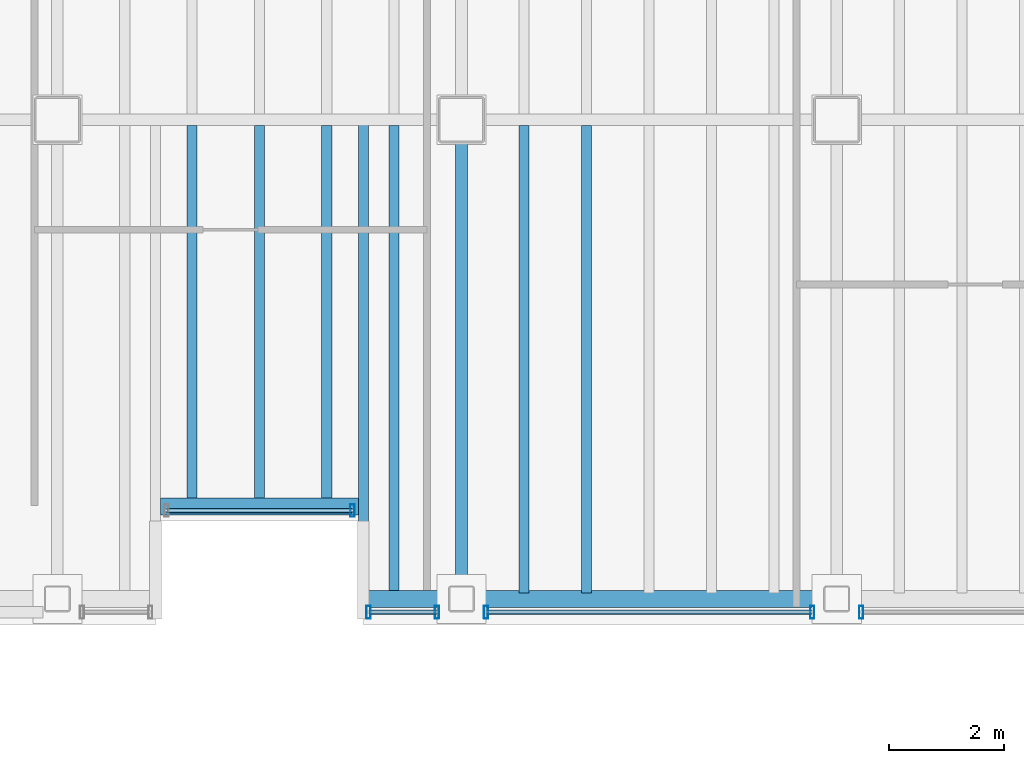
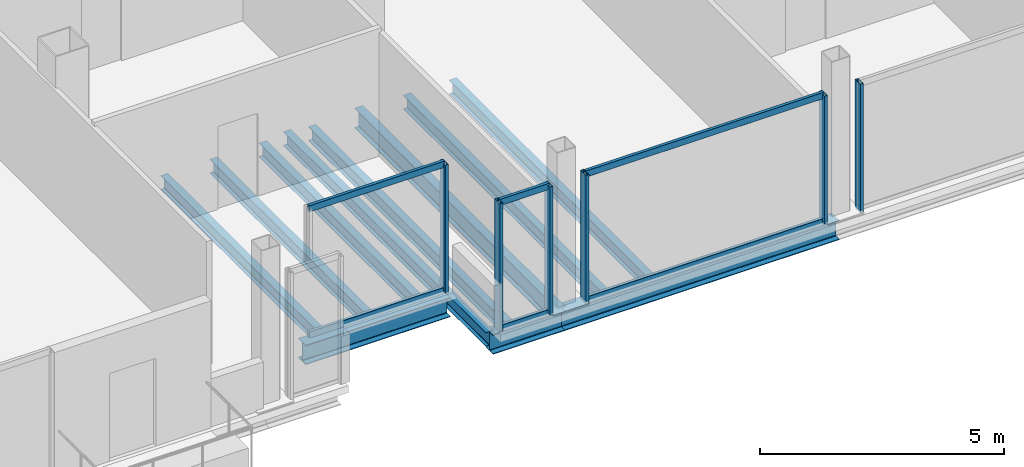
# One storey, part 4 of 15: 12 members, 11 beams, 4 elements without a shape of their own.
"""IFC4 building model written with IfcOpenShell, lengths in metres."""

from ifc_helpers import new_model, si_unit, direction, frame, origin, origin_2d, place, context, subcontext, project, spatial, hollow_rectangle, i_section, extrude, material, material_profile, profile_set, type_object, element, aggregate, save


model = new_model("IFC4")

# Units and contexts
model_context = context("Model", 3, precision=1e-05, world=origin(), true_north=direction((0.0, 1.0)))
body_context = subcontext(model_context, "Body", "Model", "MODEL_VIEW")
ifc_project = project(units=[si_unit("LENGTHUNIT", "METRE"), si_unit("AREAUNIT", "SQUARE_METRE"), si_unit("VOLUMEUNIT", "CUBIC_METRE"), si_unit("PLANEANGLEUNIT", "RADIAN"), si_unit("MASSUNIT", "GRAM", prefix="KILO")], contexts=[model_context])

# Site, building, storey
site_placement = place(None, origin())
site = spatial("IfcSite", under=ifc_project, at=site_placement, CompositionType="ELEMENT")
building_placement = place(site_placement, origin())
building = spatial("IfcBuilding", under=site, at=building_placement, Name="Noeulbin Bourse Tower", CompositionType="ELEMENT")
storey_placement = place(building_placement, frame((0.0, 0.0, 222.800048828125)))
storey = spatial("IfcBuildingStorey", under=building, at=storey_placement, Name="L55", CompositionType="ELEMENT", Elevation=222.800048828125)

# Beams
ifc_material_1 = material(Name="Steel S355", Category="steel")
ifc_material_profile_1 = material_profile(ifc_material_1, i_section(OverallWidth=0.199951171875, OverallDepth=0.5, WebThickness=0.010009765625, FlangeThickness=0.01611328125, FilletRadius=0.02001953125, at=origin_2d()), Name="H-500x200x10x16", Category="LoadBearing")
ifc_profile_set_1 = profile_set([ifc_material_profile_1], Name="Steel S355")
beam_type_1 = type_object("IfcBeamType", Name="BM-GRD-500", PredefinedType="USERDEFINED", material=ifc_profile_set_1)
beam_1_placement = place(storey_placement, frame((31.0, 11.699951171875, -0.429931640625), z_axis=(0.0, 1.0, 0.0), x_axis=(-1.0, 0.0, 0.0)))
element("IfcBeam", 1, at=beam_1_placement, inside=storey, type_object=beam_type_1, Name="Tower Primary Girder NS L55-3.1", ObjectType="GIRDER", PredefinedType="USERDEFINED", context=body_context, shape_type="SweptSolid", body=[
    extrude(i_section(OverallWidth=0.199951171875, OverallDepth=0.5, WebThickness=0.010009765625, FlangeThickness=0.01611328125, FilletRadius=0.02001953125, at=origin_2d()), origin(), (0.0, 0.0, 1.0), 8.300048828125),
])
ifc_material_profile_2 = material_profile(ifc_material_1, i_section(OverallWidth=0.175048828125, OverallDepth=0.35009765625, WebThickness=0.007080078125, FlangeThickness=0.010986328125, FilletRadius=0.013916015625, at=origin_2d()), Name="H-350x175x7x11", Category="LoadBearing")
ifc_profile_set_2 = profile_set([ifc_material_profile_2], Name="Steel S355")
beam_type_2 = type_object("IfcBeamType", Name="BM-JST-350", PredefinedType="JOIST", material=ifc_profile_set_2)
beam_2_placement = place(storey_placement, frame((29.300048828125, 11.699951171875, -0.35498046875), z_axis=(0.0, 1.0, 0.0), x_axis=(-1.0, 0.0, 0.0)))
element("IfcBeam", 2, at=beam_2_placement, inside=storey, type_object=beam_type_2, Name="BM-L55-SRT-E", PredefinedType="JOIST", context=body_context, shape_type="SweptSolid", body=[
    extrude(i_section(OverallWidth=0.175048828125, OverallDepth=0.35009765625, WebThickness=0.007080078125, FlangeThickness=0.010986328125, FilletRadius=0.013916015625, at=origin_2d()), origin(), (0.0, 0.0, 1.0), 8.300048828125),
])
for number, where, z_axis, x_axis, name in (
    (3, (26.333251953125, 13.39990234375, -0.35498046875), (0.0, 1.0, 0.0), (-1.0, 0.0, 0.0), "Tower Composite Joist L55-19"),
    (4, (27.5, 13.39990234375, -0.35498046875), (0.0, 1.0, 0.0), (-1.0, 0.0, 0.0), "Tower Composite Joist L55-21"),
    (5, (28.666748046875, 13.39990234375, -0.35498046875), (0.0, 1.0, 0.0), (-1.0, 0.0, 0.0), "Tower Composite Joist L55-23"),
):
    element("IfcBeam", number, at=place(storey_placement, frame(where, z_axis=z_axis, x_axis=x_axis)), inside=storey, type_object=beam_type_2, Name=name, PredefinedType="JOIST", context=body_context, shape_type="SweptSolid", body=[
        extrude(i_section(OverallWidth=0.175048828125, OverallDepth=0.35009765625, WebThickness=0.007080078125, FlangeThickness=0.010986328125, FilletRadius=0.013916015625, at=origin_2d()), origin(), (0.0, 0.0, 1.0), 6.5),
    ])
for number, where, z_axis, x_axis, name in (
    (6, (29.833251953125, 11.800048828125, -0.35498046875), (0.0, 1.0, 0.0), (-1.0, 0.0, 0.0), "Tower Composite Joist L55-25"),
    (7, (32.083251953125, 11.800048828125, -0.35498046875), (0.0, 1.0, 0.0), (-1.0, 0.0, 0.0), "Tower Composite Joist L55-27"),
    (8, (33.166748046875, 11.800048828125, -0.35498046875), (0.0, 1.0, 0.0), (-1.0, 0.0, 0.0), "Tower Composite Joist L55-29"),
):
    element("IfcBeam", number, at=place(storey_placement, frame(where, z_axis=z_axis, x_axis=x_axis)), inside=storey, type_object=beam_type_2, Name=name, PredefinedType="JOIST", context=body_context, shape_type="SweptSolid", body=[
        extrude(i_section(OverallWidth=0.175048828125, OverallDepth=0.35009765625, WebThickness=0.007080078125, FlangeThickness=0.010986328125, FilletRadius=0.013916015625, at=origin_2d()), origin(), (0.0, 0.0, 1.0), 8.099853515625),
    ])
ifc_material_profile_3 = material_profile(ifc_material_1, i_section(OverallWidth=0.300048828125, OverallDepth=0.488037109375, WebThickness=0.010986328125, FlangeThickness=0.01806640625, FilletRadius=0.02197265625, at=origin_2d()), Name="H-488x300x11x18", Category="LoadBearing")
ifc_profile_set_3 = profile_set([ifc_material_profile_3], Name="Steel S355")
beam_type_3 = type_object("IfcBeamType", Name="BM-SPN-488", PredefinedType="SPANDREL", material=ifc_profile_set_3)
beam_3_placement = place(storey_placement, frame((25.78759765625, 13.300048828125, -0.424072265625), z_axis=(1.0, 0.0, 0.0), x_axis=(0.0, 1.0, 0.0)))
element("IfcBeam", 9, at=beam_3_placement, inside=storey, type_object=beam_type_3, Name="South Recess Spandrel L55-2B", PredefinedType="SPANDREL", context=body_context, shape_type="SweptSolid", body=[
    extrude(i_section(OverallWidth=0.300048828125, OverallDepth=0.488037109375, WebThickness=0.010986328125, FlangeThickness=0.01806640625, FilletRadius=0.02197265625, at=origin_2d()), origin(), (0.0, 0.0, 1.0), 3.4248046875),
])
beam_4_placement = place(storey_placement, frame((29.300048828125, 11.699951171875, -0.424072265625), z_axis=(1.0, 0.0, 0.0), x_axis=(0.0, 1.0, 0.0)))
element("IfcBeam", 10, at=beam_4_placement, inside=storey, type_object=beam_type_3, Name="South Spandrel L55-2C", PredefinedType="SPANDREL", context=body_context, shape_type="SweptSolid", body=[
    extrude(i_section(OverallWidth=0.300048828125, OverallDepth=0.488037109375, WebThickness=0.010986328125, FlangeThickness=0.01806640625, FilletRadius=0.02197265625, at=origin_2d()), origin(), (0.0, 0.0, 1.0), 1.699951171875),
])
beam_5_placement = place(storey_placement, frame((31.0, 11.699951171875, -0.424072265625), z_axis=(1.0, 0.0, 0.0), x_axis=(0.0, 1.0, 0.0)))
element("IfcBeam", 11, at=beam_5_placement, inside=storey, type_object=beam_type_3, Name="South Spandrel L55-3", PredefinedType="SPANDREL", context=body_context, shape_type="SweptSolid", body=[
    extrude(i_section(OverallWidth=0.300048828125, OverallDepth=0.488037109375, WebThickness=0.010986328125, FlangeThickness=0.01806640625, FilletRadius=0.02197265625, at=origin_2d()), origin(), (0.0, 0.0, 1.0), 6.5),
])

# Curtain wall, member
ifc_material_2 = material(Name="High-Selectivity Low-Iron Glazing", Category="glass")
curtain_wall_type = type_object("IfcCurtainWallType", Name="CW-SYS-4", PredefinedType="NOTDEFINED", material=ifc_material_2)
curtain_wall_1_placement = place(storey_placement, origin())
curtain_wall_1 = element("IfcCurtainWall", 12, at=curtain_wall_1_placement, inside=storey, type_object=curtain_wall_type, Name="Unitised Curtain Wall CW-L55-SREC", PredefinedType="NOTDEFINED")
ifc_material_3 = material(Name="Anodised Aluminium 6063-T6", Category="aluminium")
ifc_material_profile_4 = material_profile(ifc_material_3, hollow_rectangle(XDim=0.074951171875, YDim=0.219970703125, WallThickness=0.0048828125, InnerFilletRadius=0.00244140625, OuterFilletRadius=0.0048828125, at=origin_2d()), Name="ALU-MULL-75x220x5", Category="LoadBearing")
ifc_profile_set_4 = profile_set([ifc_material_profile_4], Name="Anodised Aluminium 6063-T6")
member_type_1 = type_object("IfcMemberType", Name="CW-SYS-4-MUL", PredefinedType="MULLION", material=ifc_profile_set_4)
member_1_placement = place(storey_placement, frame((29.110107421875, 13.22998046875, -0.02001953125), z_axis=(0.0, 0.0, 1.0), x_axis=(1.0, 0.0, 0.0)))
member_1 = element("IfcMember", 13, at=member_1_placement, type_object=member_type_1, Name="Curtain Wall Mullion CW-L55-SREC-M01", PredefinedType="MULLION", context=body_context, shape_type="SweptSolid", body=[
    extrude(hollow_rectangle(XDim=0.074951171875, YDim=0.219970703125, WallThickness=0.0048828125, InnerFilletRadius=0.00244140625, OuterFilletRadius=0.0048828125, at=origin_2d()), origin(), (0.0, 0.0, 1.0), 3.219970703125),
])

# Curtain wall, members
curtain_wall_2_placement = place(storey_placement, origin())
curtain_wall_2 = element("IfcCurtainWall", 14, at=curtain_wall_2_placement, inside=storey, type_object=curtain_wall_type, Name="Unitised Curtain Wall CW-L55-S3-S1", PredefinedType="NOTDEFINED")
member_2_placement = place(storey_placement, frame((29.389892578125, 11.469970703125, -0.02001953125), z_axis=(0.0, 0.0, 1.0), x_axis=(1.0, 0.0, 0.0)))
member_2 = element("IfcMember", 15, at=member_2_placement, type_object=member_type_1, Name="Curtain Wall Mullion CW-L55-S3-S1-M00", PredefinedType="MULLION", context=body_context, shape_type="SweptSolid", body=[
    extrude(hollow_rectangle(XDim=0.074951171875, YDim=0.219970703125, WallThickness=0.0048828125, InnerFilletRadius=0.00244140625, OuterFilletRadius=0.0048828125, at=origin_2d()), origin(), (0.0, 0.0, 1.0), 3.219970703125),
])
member_3_placement = place(storey_placement, frame((30.574951171875, 11.469970703125, -0.02001953125), z_axis=(0.0, 0.0, 1.0), x_axis=(1.0, 0.0, 0.0)))
member_3 = element("IfcMember", 16, at=member_3_placement, type_object=member_type_1, Name="Curtain Wall Mullion CW-L55-S3-S1-M01", PredefinedType="MULLION", context=body_context, shape_type="SweptSolid", body=[
    extrude(hollow_rectangle(XDim=0.074951171875, YDim=0.219970703125, WallThickness=0.0048828125, InnerFilletRadius=0.00244140625, OuterFilletRadius=0.0048828125, at=origin_2d()), origin(), (0.0, 0.0, 1.0), 3.219970703125),
])

curtain_wall_3_placement = place(storey_placement, origin())
curtain_wall_3 = element("IfcCurtainWall", 17, at=curtain_wall_3_placement, inside=storey, type_object=curtain_wall_type, Name="Unitised Curtain Wall CW-L55-S3-S2", PredefinedType="NOTDEFINED")
member_4_placement = place(storey_placement, frame((31.425048828125, 11.469970703125, -0.02001953125), z_axis=(0.0, 0.0, 1.0), x_axis=(1.0, 0.0, 0.0)))
member_4 = element("IfcMember", 18, at=member_4_placement, type_object=member_type_1, Name="Curtain Wall Mullion CW-L55-S3-S2-M00", PredefinedType="MULLION", context=body_context, shape_type="SweptSolid", body=[
    extrude(hollow_rectangle(XDim=0.074951171875, YDim=0.219970703125, WallThickness=0.0048828125, InnerFilletRadius=0.00244140625, OuterFilletRadius=0.0048828125, at=origin_2d()), origin(), (0.0, 0.0, 1.0), 3.219970703125),
])
member_5_placement = place(storey_placement, frame((37.074951171875, 11.469970703125, -0.02001953125), z_axis=(0.0, 0.0, 1.0), x_axis=(1.0, 0.0, 0.0)))
member_5 = element("IfcMember", 19, at=member_5_placement, type_object=member_type_1, Name="Curtain Wall Mullion CW-L55-S3-S2-M01", PredefinedType="MULLION", context=body_context, shape_type="SweptSolid", body=[
    extrude(hollow_rectangle(XDim=0.074951171875, YDim=0.219970703125, WallThickness=0.0048828125, InnerFilletRadius=0.00244140625, OuterFilletRadius=0.0048828125, at=origin_2d()), origin(), (0.0, 0.0, 1.0), 3.219970703125),
])

# Curtain wall, member
curtain_wall_4_placement = place(storey_placement, origin())
curtain_wall_4 = element("IfcCurtainWall", 20, at=curtain_wall_4_placement, inside=storey, type_object=curtain_wall_type, Name="Unitised Curtain Wall CW-L55-S3-S3", PredefinedType="NOTDEFINED")
member_6_placement = place(storey_placement, frame((37.925048828125, 11.469970703125, -0.02001953125), z_axis=(0.0, 0.0, 1.0), x_axis=(1.0, 0.0, 0.0)))
member_6 = element("IfcMember", 21, at=member_6_placement, type_object=member_type_1, Name="Curtain Wall Mullion CW-L55-S3-S3-M00", PredefinedType="MULLION", context=body_context, shape_type="SweptSolid", body=[
    extrude(hollow_rectangle(XDim=0.074951171875, YDim=0.219970703125, WallThickness=0.0048828125, InnerFilletRadius=0.00244140625, OuterFilletRadius=0.0048828125, at=origin_2d()), origin(), (0.0, 0.0, 1.0), 3.219970703125),
])
aggregate(curtain_wall_4, [member_6])

# Member
ifc_material_profile_5 = material_profile(ifc_material_3, hollow_rectangle(XDim=0.074951171875, YDim=0.159912109375, WallThickness=0.0048828125, InnerFilletRadius=0.00244140625, OuterFilletRadius=0.0048828125, at=origin_2d()), Name="ALU-TRAN-75x160x5", Category="LoadBearing")
ifc_profile_set_5 = profile_set([ifc_material_profile_5], Name="Anodised Aluminium 6063-T6")
member_type_2 = type_object("IfcMemberType", Name="CW-SYS-4-TRN", PredefinedType="USERDEFINED", material=ifc_profile_set_5)
member_7_placement = place(storey_placement, frame((25.89990234375, 13.22998046875, 0.010009765625), z_axis=(1.0, 0.0, 0.0), x_axis=(0.0, 1.0, 0.0)))
member_7 = element("IfcMember", 22, at=member_7_placement, type_object=member_type_2, Name="Curtain Wall Transom CW-L55-SREC-T00", ObjectType="TRANSOM", PredefinedType="USERDEFINED", context=body_context, shape_type="SweptSolid", body=[
    extrude(hollow_rectangle(XDim=0.074951171875, YDim=0.159912109375, WallThickness=0.0048828125, InnerFilletRadius=0.00244140625, OuterFilletRadius=0.0048828125, at=origin_2d()), origin(), (0.0, 0.0, 1.0), 3.2001953125),
])

member_8_placement = place(storey_placement, frame((25.89990234375, 13.22998046875, 3.169921875), z_axis=(1.0, 0.0, 0.0), x_axis=(0.0, 1.0, 0.0)))
member_8 = element("IfcMember", 23, at=member_8_placement, type_object=member_type_2, Name="Curtain Wall Transom CW-L55-SREC-T01", ObjectType="TRANSOM", PredefinedType="USERDEFINED", context=body_context, shape_type="SweptSolid", body=[
    extrude(hollow_rectangle(XDim=0.074951171875, YDim=0.159912109375, WallThickness=0.0048828125, InnerFilletRadius=0.00244140625, OuterFilletRadius=0.0048828125, at=origin_2d()), origin(), (0.0, 0.0, 1.0), 3.2001953125),
])

aggregate(curtain_wall_1, [member_1, member_7, member_8])

member_9_placement = place(storey_placement, frame((29.39990234375, 11.469970703125, 0.010009765625), z_axis=(1.0, 0.0, 0.0), x_axis=(0.0, 1.0, 0.0)))
member_9 = element("IfcMember", 24, at=member_9_placement, type_object=member_type_2, Name="Curtain Wall Transom CW-L55-S3-S1-T00", ObjectType="TRANSOM", PredefinedType="USERDEFINED", context=body_context, shape_type="SweptSolid", body=[
    extrude(hollow_rectangle(XDim=0.074951171875, YDim=0.159912109375, WallThickness=0.0048828125, InnerFilletRadius=0.00244140625, OuterFilletRadius=0.0048828125, at=origin_2d()), origin(), (0.0, 0.0, 1.0), 1.1650390625),
])

member_10_placement = place(storey_placement, frame((29.39990234375, 11.469970703125, 3.169921875), z_axis=(1.0, 0.0, 0.0), x_axis=(0.0, 1.0, 0.0)))
member_10 = element("IfcMember", 25, at=member_10_placement, type_object=member_type_2, Name="Curtain Wall Transom CW-L55-S3-S1-T01", ObjectType="TRANSOM", PredefinedType="USERDEFINED", context=body_context, shape_type="SweptSolid", body=[
    extrude(hollow_rectangle(XDim=0.074951171875, YDim=0.159912109375, WallThickness=0.0048828125, InnerFilletRadius=0.00244140625, OuterFilletRadius=0.0048828125, at=origin_2d()), origin(), (0.0, 0.0, 1.0), 1.1650390625),
])

aggregate(curtain_wall_2, [member_2, member_3, member_9, member_10])

member_11_placement = place(storey_placement, frame((31.43505859375, 11.469970703125, 0.010009765625), z_axis=(1.0, 0.0, 0.0), x_axis=(0.0, 1.0, 0.0)))
member_11 = element("IfcMember", 26, at=member_11_placement, type_object=member_type_2, Name="Curtain Wall Transom CW-L55-S3-S2-T00", ObjectType="TRANSOM", PredefinedType="USERDEFINED", context=body_context, shape_type="SweptSolid", body=[
    extrude(hollow_rectangle(XDim=0.074951171875, YDim=0.159912109375, WallThickness=0.0048828125, InnerFilletRadius=0.00244140625, OuterFilletRadius=0.0048828125, at=origin_2d()), origin(), (0.0, 0.0, 1.0), 5.6298828125),
])

member_12_placement = place(storey_placement, frame((31.43505859375, 11.469970703125, 3.169921875), z_axis=(1.0, 0.0, 0.0), x_axis=(0.0, 1.0, 0.0)))
member_12 = element("IfcMember", 27, at=member_12_placement, type_object=member_type_2, Name="Curtain Wall Transom CW-L55-S3-S2-T01", ObjectType="TRANSOM", PredefinedType="USERDEFINED", context=body_context, shape_type="SweptSolid", body=[
    extrude(hollow_rectangle(XDim=0.074951171875, YDim=0.159912109375, WallThickness=0.0048828125, InnerFilletRadius=0.00244140625, OuterFilletRadius=0.0048828125, at=origin_2d()), origin(), (0.0, 0.0, 1.0), 5.6298828125),
])

aggregate(curtain_wall_3, [member_4, member_5, member_11, member_12])

save(model, "model.ifc")
